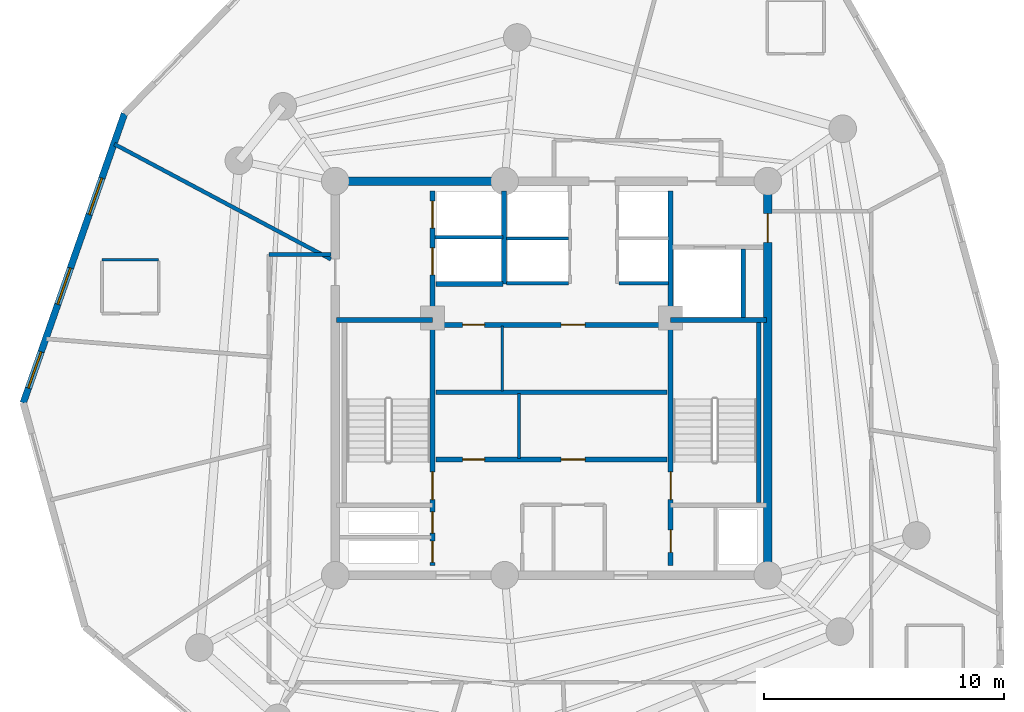
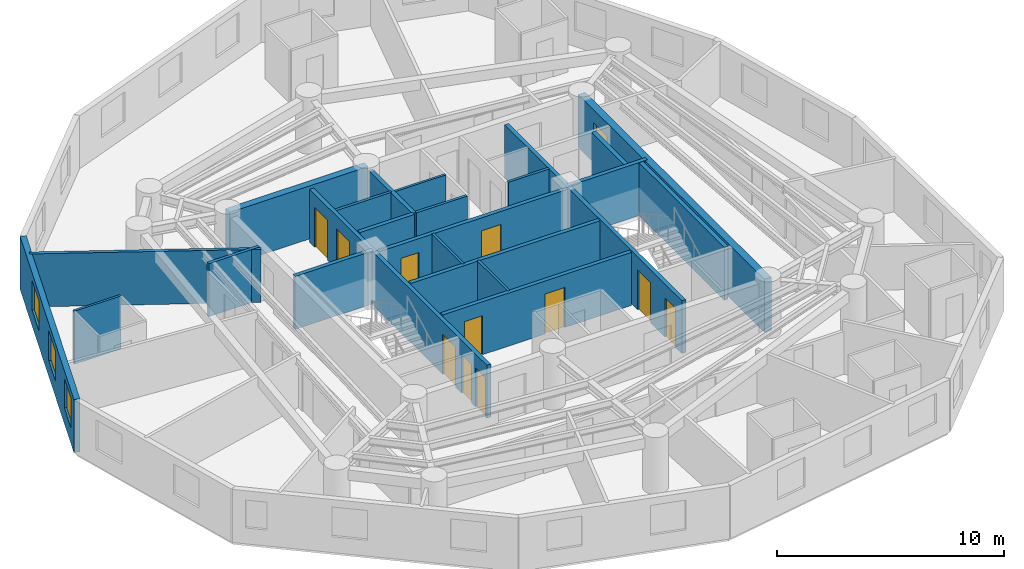
# One storey, part 4 of 7: 23 walls, 12 doors, 3 windows, 15 openings.
"""IFC4 building model written with IfcOpenShell, lengths in metres."""

import ifcopenshell
import ifcopenshell.guid

model = None  # the IFC model being written
_history = None  # IfcOwnerHistory: only IFC2X3 demands one
_inside = {}  # id of a spatial element -> (the spatial element, [elements in it])
_under = {}  # id of a project, library or spatial element -> (it, [spatial elements below it])
_declared = {}  # id of a project -> (the project, [libraries it declares])
_typed = {}  # id of a type object -> (the type object, [elements of that type])
_made_of = {}  # id of a material, layer set ... -> (it, [elements and type objects made of it])


def new_model(schema):
    """Start an empty IFC model of exactly this schema.

    Asked for "IFC4X3", IfcOpenShell would pick the latest addendum, in which some entities
    have other attributes; the version numbers below select the first issue.
    IFC2X3 requires an IfcOwnerHistory on every rooted entity: one is made here for all.
    """
    global model, _history
    if schema == "IFC4X3":
        model = ifcopenshell.file(schema_version=(4, 3, 0, 0))
    else:
        model = ifcopenshell.file(schema=schema)
    _inside.clear()
    _under.clear()
    _declared.clear()
    _typed.clear()
    _made_of.clear()
    _history = None
    if model.schema == "IFC2X3":
        org = make("IfcOrganization", Name="unknown")
        user = make(
            "IfcPersonAndOrganization",
            ThePerson=make("IfcPerson", FamilyName="unknown"),
            TheOrganization=org,
        )
        app = make(
            "IfcApplication",
            ApplicationDeveloper=org,
            Version="unknown",
            ApplicationFullName="unknown",
            ApplicationIdentifier="unknown",
        )
        _history = make(
            "IfcOwnerHistory",
            OwningUser=user,
            OwningApplication=app,
            ChangeAction="ADDED",
            CreationDate=0,
        )
    return model


def make(cls, **values):
    """One entity of the class cls with the attributes given. An attribute that is None is left unset."""
    return model.create_entity(
        cls, **{name: value for name, value in values.items() if value is not None}
    )


def rooted(cls, **values):
    """An entity with a GlobalId (a new one), such as an element, a storey or a relation."""
    return make(cls, GlobalId=ifcopenshell.guid.new(), OwnerHistory=_history, **values)


def si_unit(unit_type, name, prefix=None):
    """IfcSIUnit, for example si_unit("LENGTHUNIT", "METRE", prefix="MILLI")."""
    return make("IfcSIUnit", UnitType=unit_type, Prefix=prefix, Name=name)


def assignment(units):
    """IfcUnitAssignment: the units of a project."""
    return None if units is None else make("IfcUnitAssignment", Units=units)


def point(xyz):
    """IfcCartesianPoint."""
    return None if xyz is None else make("IfcCartesianPoint", Coordinates=xyz)


def direction(xyz):
    """IfcDirection."""
    return None if xyz is None else make("IfcDirection", DirectionRatios=xyz)


def frame(location, z_axis=None, x_axis=None):
    """IfcAxis2Placement3D, a coordinate frame: its origin and axes. An axis left out is left unset."""
    return make(
        "IfcAxis2Placement3D",
        Location=point(location),
        Axis=direction(z_axis),
        RefDirection=direction(x_axis),
    )


def frame_2d(location, x_axis=None):
    """IfcAxis2Placement2D, a coordinate frame in the plane: its origin and x axis."""
    return make(
        "IfcAxis2Placement2D", Location=point(location), RefDirection=direction(x_axis)
    )


def origin():
    """The frame at (0, 0, 0) with its axes left unset."""
    return frame((0.0, 0.0, 0.0))


def origin_with_axes():
    """The frame at (0, 0, 0) with the z axis (0, 0, 1) and the x axis (1, 0, 0) written out."""
    return frame((0.0, 0.0, 0.0), z_axis=(0.0, 0.0, 1.0), x_axis=(1.0, 0.0, 0.0))


def place(relative_to, where):
    """IfcLocalPlacement: puts the frame where relative to a parent placement (None: the world)."""
    return make(
        "IfcLocalPlacement", PlacementRelTo=relative_to, RelativePlacement=where
    )


def context(
    kind, dimensions, precision=None, world=None, true_north=None, identifier=None
):
    """IfcGeometricRepresentationContext, for example the 3D "Model" context."""
    return make(
        "IfcGeometricRepresentationContext",
        ContextIdentifier=identifier,
        ContextType=kind,
        CoordinateSpaceDimension=dimensions,
        Precision=precision,
        WorldCoordinateSystem=world,
        TrueNorth=true_north,
    )


def subcontext(parent, identifier, kind, view, scale=None):
    """IfcGeometricRepresentationSubContext, for example "Body" below "Model"."""
    return make(
        "IfcGeometricRepresentationSubContext",
        ContextIdentifier=identifier,
        ContextType=kind,
        ParentContext=parent,
        TargetScale=scale,
        TargetView=view,
    )


def project(units=None, contexts=None):
    """IfcProject with its units and contexts."""
    return rooted(
        "IfcProject",
        Name="project",
        RepresentationContexts=contexts,
        UnitsInContext=assignment(units),
    )


def spatial(cls, under=None, at=None, **own):
    """A site, building, storey or space (cls), placed at a placement, below another one or the project."""
    s = rooted(cls, ObjectPlacement=at, **own)
    if under is not None:
        _under.setdefault(under.id(), (under, []))[1].append(s)
    return s


def profile(cls, at=None, kind="AREA", **sizes):
    """A parametric profile (cls). Its sizes go by their IFC names, for example OverallWidth=200.0."""
    return make(cls, ProfileType=kind, Position=at, **sizes)


def rectangle(**sizes):
    """IfcRectangleProfileDef."""
    return profile("IfcRectangleProfileDef", **sizes)


def extrude(swept, where, along, depth):
    """IfcExtrudedAreaSolid: the profile swept, set in the frame where, extruded along a direction by depth."""
    return make(
        "IfcExtrudedAreaSolid",
        SweptArea=swept,
        Position=where,
        ExtrudedDirection=direction(along),
        Depth=depth,
    )


def shape(context_of_items, identifier, shape_type, items):
    """IfcShapeRepresentation: the items that make up one representation, for example the "Body"."""
    return make(
        "IfcShapeRepresentation",
        ContextOfItems=context_of_items,
        RepresentationIdentifier=identifier,
        RepresentationType=shape_type,
        Items=items,
    )


def source(mapping_origin, context_of_items, identifier, shape_type, items):
    """IfcRepresentationMap: a shape defined once, which mapped items show again and again."""
    return make(
        "IfcRepresentationMap",
        MappingOrigin=mapping_origin,
        MappedRepresentation=shape(context_of_items, identifier, shape_type, items),
    )


def transform(
    local_origin,
    x_axis=None,
    y_axis=None,
    z_axis=None,
    scale=None,
    scale2=None,
    scale3=None,
    uniform=True,
):
    """IfcCartesianTransformationOperator3D, or its non-uniform kind. x_axis, y_axis, z_axis: its Axis1, 2, 3."""
    if uniform:
        return make(
            "IfcCartesianTransformationOperator3D",
            Axis1=direction(x_axis),
            Axis2=direction(y_axis),
            LocalOrigin=point(local_origin),
            Scale=scale,
            Axis3=direction(z_axis),
        )
    return make(
        "IfcCartesianTransformationOperator3DnonUniform",
        Axis1=direction(x_axis),
        Axis2=direction(y_axis),
        LocalOrigin=point(local_origin),
        Scale=scale,
        Axis3=direction(z_axis),
        Scale2=scale2,
        Scale3=scale3,
    )


def mapped(mapping_source, mapping_target):
    """IfcMappedItem: shows the shape of a source again, moved by a transform."""
    return make(
        "IfcMappedItem", MappingSource=mapping_source, MappingTarget=mapping_target
    )


def material(Name=None, Category=None):
    """IfcMaterial."""
    return make("IfcMaterial", Name=Name, Category=Category)


def layer(
    of_material, thickness, ventilated=None, Name=None, Category=None, Priority=None
):
    """IfcMaterialLayer: one layer of a wall or slab, of a material (None: an air gap)."""
    return make(
        "IfcMaterialLayer",
        Material=of_material,
        LayerThickness=thickness,
        IsVentilated=ventilated,
        Name=Name,
        Category=Category,
        Priority=Priority,
    )


def layer_set(layers, Name=None):
    """IfcMaterialLayerSet."""
    return make("IfcMaterialLayerSet", MaterialLayers=layers, LayerSetName=Name)


def made_of(thing, what):
    """Note that an element or type object is made of a material, layer set ...; save() writes the relation."""
    if what is not None:
        _made_of.setdefault(what.id(), (what, []))[1].append(thing)
    return thing


def type_object(cls, material=None, **own):
    """A type object (cls), such as IfcWallType, which elements share."""
    return made_of(rooted(cls, **own), material)


def element(
    cls,
    number,
    at=None,
    inside=None,
    cuts=None,
    type_object=None,
    material=None,
    context=None,
    identifier="Body",
    shape_type=None,
    held_by="IfcProductDefinitionShape",
    body=None,
    shapes=None,
    **own,
):
    """One element of the class cls, such as IfcWall. Its Tag is "e" and its number.

    at: its placement. inside: the storey or other place that contains it. cuts: it is an
    opening in that element (IfcRelVoidsElement). A single representation is given by context,
    identifier, shape_type and body (its items); several are given by shapes. held_by: the class
    of the entity that holds the representations. save() writes the other relations.
    """
    e = rooted(cls, Tag="e%d" % number, ObjectPlacement=at, **own)
    if body is not None:
        shapes = [shape(context, identifier, shape_type, body)]
    if shapes is not None:
        e.Representation = make(held_by, Representations=shapes)
    if inside is not None:
        _inside.setdefault(inside.id(), (inside, []))[1].append(e)
    if cuts is not None:
        rooted(
            "IfcRelVoidsElement", RelatingBuildingElement=cuts, RelatedOpeningElement=e
        )
    if type_object is not None:
        _typed.setdefault(type_object.id(), (type_object, []))[1].append(e)
    return made_of(e, material)


def fill(opening, filler):
    """IfcRelFillsElement: the door or window that sits in an opening."""
    return rooted(
        "IfcRelFillsElement",
        RelatingOpeningElement=opening,
        RelatedBuildingElement=filler,
    )


def aggregate(whole, parts):
    """IfcRelAggregates: a whole, such as a stair, and the parts it consists of."""
    return rooted("IfcRelAggregates", RelatingObject=whole, RelatedObjects=parts)


def save(model, path):
    """Write the relations noted so far, then the file.

    IfcRelAggregates (storeys below a building ...), IfcRelContainedInSpatialStructure (elements
    in a storey), IfcRelDefinesByType, IfcRelAssociatesMaterial and IfcRelDeclares: one each for
    every whole, place, type object, material and project.
    """
    for whole, parts in _under.values():
        aggregate(whole, parts)
    for where, things in _inside.values():
        rooted(
            "IfcRelContainedInSpatialStructure",
            RelatedElements=things,
            RelatingStructure=where,
        )
    for kind, things in _typed.values():
        rooted("IfcRelDefinesByType", RelatedObjects=things, RelatingType=kind)
    for what, things in _made_of.values():
        rooted("IfcRelAssociatesMaterial", RelatedObjects=things, RelatingMaterial=what)
    for by, libraries in _declared.values():
        rooted("IfcRelDeclares", RelatingContext=by, RelatedDefinitions=libraries)
    model.write(path)


model = new_model("IFC4")

# Units and contexts
model_context = context("Model", 3, precision=1e-05, world=origin(), true_north=direction((0.0, 1.0)))
body_context = subcontext(model_context, "Body", "Model", "MODEL_VIEW")
ifc_project = project(units=[si_unit("LENGTHUNIT", "METRE"), si_unit("AREAUNIT", "SQUARE_METRE"), si_unit("VOLUMEUNIT", "CUBIC_METRE"), si_unit("PLANEANGLEUNIT", "RADIAN"), si_unit("MASSUNIT", "GRAM", prefix="KILO")], contexts=[model_context])

# Site, building, storey
site_placement = place(None, origin())
site = spatial("IfcSite", under=ifc_project, at=site_placement, CompositionType="ELEMENT")
building_placement = place(site_placement, origin())
building = spatial("IfcBuilding", under=site, at=building_placement, Name="Karkom Vertical University and Central Library", CompositionType="ELEMENT")
storey_placement = place(building_placement, frame((0.0, 0.0, 226.050048828125)))
storey = spatial("IfcBuildingStorey", under=building, at=storey_placement, Name="L66", CompositionType="ELEMENT", Elevation=226.050048828125)

# Wall, openings, windows
ifc_material_1 = material(Name="Brick-faced precast concrete C45/55", Category="masonry")
ifc_layer_1 = layer(ifc_material_1, 0.280029296875)
ifc_layer_set_1 = layer_set([ifc_layer_1], Name="Brick-faced precast concrete C45/55")
wall_type_1 = type_object("IfcWallType", Name="ENV-WL-BRK-280", PredefinedType="SOLIDWALL", material=ifc_layer_set_1)
wall_1_placement = place(storey_placement, frame((10.730712890625, 37.5078125, 0.0), z_axis=(0.0, 0.0, 1.0), x_axis=(-0.330347012997, -0.943859550465, 0.0)))
wall_1 = element("IfcWall", 1, at=wall_1_placement, inside=storey, type_object=wall_type_1, Name="Level 66 Brick-Faced Precast Facade Wall 12", PredefinedType="SOLIDWALL", context=body_context, shape_type="SweptSolid", body=[
    extrude(rectangle(XDim=12.75, YDim=0.280029296875, at=frame_2d((6.375, 0.0))), origin(), (0.0, 0.0, 1.0), 2.849853515625),
])
opening_1_placement = place(wall_1_placement, frame((2.843017578125, 0.0, 0.85009765625)))
opening_1 = element("IfcOpeningElement", 2, at=opening_1_placement, cuts=wall_1, Name="Opening WN-10", PredefinedType="OPENING", context=body_context, shape_type="SweptSolid", body=[
    extrude(rectangle(XDim=1.60009765625, YDim=1.60009765625, at=frame_2d((0.800048828125, 0.800048828125))), frame((0.0, 0.14990234375, 0.0), z_axis=(0.0, -1.0, 0.0), x_axis=(1.0, 0.0, 0.0)), (0.0, 0.0, 1.0), 0.300048828125),
])
opening_2_placement = place(wall_1_placement, frame((6.8056640625, 0.0, 0.85009765625)))
opening_2 = element("IfcOpeningElement", 3, at=opening_2_placement, cuts=wall_1, Name="Opening WN-10", PredefinedType="OPENING", context=body_context, shape_type="SweptSolid", body=[
    extrude(rectangle(XDim=1.60009765625, YDim=1.60009765625, at=frame_2d((0.800048828125, 0.800048828125))), frame((0.0, 0.14990234375, 0.0), z_axis=(0.0, -1.0, 0.0), x_axis=(1.0, 0.0, 0.0)), (0.0, 0.0, 1.0), 0.300048828125),
])
opening_3_placement = place(wall_1_placement, frame((10.498291015625, 0.0, 0.85009765625)))
opening_3 = element("IfcOpeningElement", 4, at=opening_3_placement, cuts=wall_1, Name="Opening WN-10", PredefinedType="OPENING", context=body_context, shape_type="SweptSolid", body=[
    extrude(rectangle(XDim=1.60009765625, YDim=1.60009765625, at=frame_2d((0.800048828125, 0.800048828125))), frame((0.0, 0.14990234375, 0.0), z_axis=(0.0, -1.0, 0.0), x_axis=(1.0, 0.0, 0.0)), (0.0, 0.0, 1.0), 0.300048828125),
])
ifc_material_2 = material(Name="Aluminium thermal-break frame with solar-control IGU", Category="aluminium")
window_type = type_object("IfcWindowType", Name="ENV-WIN-WN-10", PartitioningType="SINGLE_PANEL", PredefinedType="WINDOW", material=ifc_material_2)
shared_shape_1 = source(origin_with_axes(), body_context, "Body", "SweptSolid", [
    extrude(rectangle(XDim=1.60009765625, YDim=1.60009765625, at=frame_2d((0.800048828125, 0.800048828125))), frame((0.0, 0.030029296875, 0.0), z_axis=(0.0, -1.0, 0.0), x_axis=(1.0, 0.0, 0.0)), (0.0, 0.0, 1.0), 0.06005859375),
])
window_1_placement = place(opening_1_placement, origin())
window_1 = element("IfcWindow", 5, at=window_1_placement, inside=storey, type_object=window_type, Name="Level 66 Punched Window 12.1", OverallHeight=1.60009765625, OverallWidth=1.60009765625, PartitioningType="SINGLE_PANEL", PredefinedType="WINDOW", context=body_context, shape_type="MappedRepresentation", body=[
    mapped(shared_shape_1, transform((0.0, 0.0, 0.0), scale=1.0)),
])
fill(opening_1, window_1)
window_2_placement = place(opening_2_placement, origin())
window_2 = element("IfcWindow", 6, at=window_2_placement, inside=storey, type_object=window_type, Name="Level 66 Punched Window 12.2", OverallHeight=1.60009765625, OverallWidth=1.60009765625, PartitioningType="SINGLE_PANEL", PredefinedType="WINDOW", context=body_context, shape_type="MappedRepresentation", body=[
    mapped(shared_shape_1, transform((0.0, 0.0, 0.0), scale=1.0)),
])
fill(opening_2, window_2)
window_3_placement = place(opening_3_placement, origin())
window_3 = element("IfcWindow", 7, at=window_3_placement, inside=storey, type_object=window_type, Name="Level 66 Punched Window 12.3", OverallHeight=1.60009765625, OverallWidth=1.60009765625, PartitioningType="SINGLE_PANEL", PredefinedType="WINDOW", context=body_context, shape_type="MappedRepresentation", body=[
    mapped(shared_shape_1, transform((0.0, 0.0, 0.0), scale=1.0)),
])
fill(opening_3, window_3)

# Walls
ifc_material_3 = material(Name="Insulated metal-stud drywall 160mm", Category="gypsum")
ifc_layer_2 = layer(ifc_material_3, 0.159912109375)
ifc_layer_set_2 = layer_set([ifc_layer_2], Name="Insulated metal-stud drywall 160mm")
wall_type_2 = type_object("IfcWallType", Name="INT-WL-COR-160", PredefinedType="PARTITIONING", material=ifc_layer_set_2)
wall_2_placement = place(storey_placement, frame((19.318603515625, 31.44970703125, 0.0), z_axis=(0.0, 0.0, 1.0), x_axis=(-0.882941204616, 0.469483577127, 0.0)))
element("IfcWall", 8, at=wall_2_placement, inside=storey, type_object=wall_type_2, Name="Level 66 Interior Partition Wall L66-PW-014", PredefinedType="PARTITIONING", context=body_context, shape_type="SweptSolid", body=[
    extrude(rectangle(XDim=10.201171875, YDim=0.159912109375, at=frame_2d((5.1005859375, 0.0))), origin(), (0.0, 0.0, 1.0), 2.849853515625),
])
wall_3_placement = place(storey_placement, frame((16.75, 31.64990234375, 0.0), z_axis=(0.0, 0.0, 1.0), x_axis=(1.0, 0.0, 0.0)))
element("IfcWall", 9, at=wall_3_placement, inside=storey, type_object=wall_type_2, Name="Level 66 Interior Partition Wall L66-CORW-CW-003", PredefinedType="PARTITIONING", context=body_context, shape_type="SweptSolid", body=[
    extrude(rectangle(XDim=2.568115234375, YDim=0.159912109375, at=frame_2d((1.2841796875, 0.0))), origin(), (0.0, 0.0, 1.0), 2.849853515625),
])
ifc_material_4 = material(Name="Moisture-resistant drywall 120mm", Category="gypsum")
ifc_layer_3 = layer(ifc_material_4, 0.1201171875)
ifc_layer_set_3 = layer_set([ifc_layer_3], Name="Moisture-resistant drywall 120mm")
wall_type_3 = type_object("IfcWallType", Name="INT-WL-INT-120", PredefinedType="PARTITIONING", material=ifc_layer_set_3)
wall_4_placement = place(storey_placement, frame((27.14990234375, 23.169921875, 0.0), z_axis=(0.0, 0.0, 1.0), x_axis=(0.0, 1.0, 0.0)))
element("IfcWall", 10, at=wall_4_placement, inside=storey, type_object=wall_type_3, Name="Level 66 Interior Partition Wall L66-CW-B1-K2", PredefinedType="PARTITIONING", context=body_context, shape_type="SweptSolid", body=[
    extrude(rectangle(XDim=2.7001953125, YDim=0.1201171875, at=frame_2d((1.35009765625, 0.0))), origin(), (0.0, 0.0, 1.0), 2.849853515625),
])
wall_5_placement = place(storey_placement, frame((26.449951171875, 25.969970703125, 0.0), z_axis=(0.0, 0.0, 1.0), x_axis=(0.0, 1.0, 0.0)))
element("IfcWall", 11, at=wall_5_placement, inside=storey, type_object=wall_type_3, Name="Level 66 Interior Partition Wall L66-CW-B2-K2", PredefinedType="PARTITIONING", context=body_context, shape_type="SweptSolid", body=[
    extrude(rectangle(XDim=2.699951171875, YDim=0.1201171875, at=frame_2d((1.35009765625, 0.0))), origin(), (0.0, 0.0, 1.0), 2.849853515625),
])
ifc_layer_4 = layer(ifc_material_4, 0.1201171875)
ifc_layer_set_4 = layer_set([ifc_layer_4], Name="Moisture-resistant drywall 120mm")
wall_type_4 = type_object("IfcWallType", Name="INT-WL-INT-120F", PredefinedType="PARTITIONING", material=ifc_layer_set_4)
wall_6_placement = place(storey_placement, frame((12.155029296875, 31.428955078125, 0.0), z_axis=(0.0, 0.0, 1.0), x_axis=(-1.0, 0.0, 0.0)))
element("IfcWall", 12, at=wall_6_placement, inside=storey, type_object=wall_type_4, Name="Level 66 Interior Partition Wall L66-ENS-52-N", PredefinedType="PARTITIONING", context=body_context, shape_type="SweptSolid", body=[
    extrude(rectangle(XDim=2.360107421875, YDim=0.1201171875, at=frame_2d((1.18017578125, 0.0))), origin(), (0.0, 0.0, 1.0), 2.849853515625),
])
ifc_layer_5 = layer(ifc_material_4, 0.1201171875)
ifc_layer_set_5 = layer_set([ifc_layer_5], Name="Moisture-resistant drywall 120mm")
wall_type_5 = type_object("IfcWallType", Name="INT-WL-INT-120H", PredefinedType="PARTITIONING", material=ifc_layer_set_5)
wall_7_placement = place(storey_placement, frame((26.6201171875, 32.320068359375, 0.0), z_axis=(0.0, 0.0, 1.0), x_axis=(1.0, 0.0, 0.0)))
element("IfcWall", 13, at=wall_7_placement, inside=storey, type_object=wall_type_5, Name="Level 66 Interior Partition Wall L66-CW-PH-MW", PredefinedType="PARTITIONING", context=body_context, shape_type="SweptSolid", body=[
    extrude(rectangle(XDim=2.579833984375, YDim=0.1201171875, at=frame_2d((1.2900390625, 0.0))), origin(), (0.0, 0.0, 1.0), 2.849853515625),
])
ifc_material_5 = material(Name="Metal-stud gypsum partition 140mm", Category="gypsum")
ifc_layer_6 = layer(ifc_material_5, 0.139892578125)
ifc_layer_set_6 = layer_set([ifc_layer_6], Name="Metal-stud gypsum partition 140mm")
wall_type_6 = type_object("IfcWallType", Name="INT-WL-SUB-140H", PredefinedType="PARTITIONING", material=ifc_layer_set_6)
wall_8_placement = place(storey_placement, frame((26.6201171875, 30.449951171875, 0.0), z_axis=(0.0, 0.0, 1.0), x_axis=(1.0, 0.0, 0.0)))
element("IfcWall", 14, at=wall_8_placement, inside=storey, type_object=wall_type_6, Name="Level 66 Interior Partition Wall L66-CW-PH-S1", PredefinedType="PARTITIONING", context=body_context, shape_type="SweptSolid", body=[
    extrude(rectangle(XDim=2.579833984375, YDim=0.139892578125, at=frame_2d((1.2900390625, 0.0))), origin(), (0.0, 0.0, 1.0), 2.849853515625),
])
wall_9_placement = place(storey_placement, frame((31.300048828125, 30.449951171875, 0.0), z_axis=(0.0, 0.0, 1.0), x_axis=(1.0, 0.0, 0.0)))
element("IfcWall", 15, at=wall_9_placement, inside=storey, type_object=wall_type_6, Name="Level 66 Interior Partition Wall L66-CW-PH-S2", PredefinedType="PARTITIONING", context=body_context, shape_type="SweptSolid", body=[
    extrude(rectangle(XDim=2.074951171875, YDim=0.139892578125, at=frame_2d((1.03759765625, 0.0))), origin(), (0.0, 0.0, 1.0), 2.849853515625),
])
ifc_layer_7 = layer(ifc_material_5, 0.139892578125)
ifc_layer_set_7 = layer_set([ifc_layer_7], Name="Metal-stud gypsum partition 140mm")
wall_type_7 = type_object("IfcWallType", Name="INT-WL-SUB-140X", PredefinedType="PARTITIONING", material=ifc_layer_set_7)
wall_10_placement = place(storey_placement, frame((23.652099609375, 32.3701171875, 0.0), z_axis=(0.0, 0.0, 1.0), x_axis=(1.0, 0.0, 0.0)))
element("IfcWall", 16, at=wall_10_placement, inside=storey, type_object=wall_type_7, Name="Level 66 Interior Partition Wall L66-CW-FFL-M", PredefinedType="PARTITIONING", context=body_context, shape_type="SweptSolid", body=[
    extrude(rectangle(XDim=2.827880859375, YDim=0.139892578125, at=frame_2d((1.4140625, 0.0))), origin(), (0.0, 0.0, 1.0), 2.849853515625),
])

# Wall, opening, door
ifc_material_6 = material(Name="Concrete C45/55", Category="concrete")
ifc_layer_8 = layer(ifc_material_6, 0.35009765625)
ifc_layer_set_8 = layer_set([ifc_layer_8], Name="Concrete C45/55")
wall_type_8 = type_object("IfcWallType", Name="STR-WL-CW-350", PredefinedType="SHEAR", material=ifc_layer_set_8)
wall_11_placement = place(storey_placement, frame((37.5, 18.300048828125, 0.0), z_axis=(0.0, 0.0, 1.0), x_axis=(0.0, 1.0, 0.0)))
wall_11 = element("IfcWall", 17, at=wall_11_placement, inside=storey, type_object=wall_type_8, Name="Level 66 Central Core Shear Wall EW", PredefinedType="SHEAR", context=body_context, shape_type="SweptSolid", body=[
    extrude(rectangle(XDim=16.39990234375, YDim=0.35009765625, at=frame_2d((8.199951171875, 0.0))), origin(), (0.0, 0.0, 1.0), 2.849853515625),
])
opening_4_placement = place(wall_11_placement, frame((13.85009765625, 0.0, 0.0)))
opening_4 = element("IfcOpeningElement", 18, at=opening_4_placement, cuts=wall_11, Name="Opening FD-SUB1", PredefinedType="OPENING", context=body_context, shape_type="SweptSolid", body=[
    extrude(rectangle(XDim=1.199951171875, YDim=2.14990234375, at=frame_2d((0.60009765625, 1.074951171875))), frame((0.0, 0.18505859375, 0.0), z_axis=(0.0, -1.0, 0.0), x_axis=(1.0, 0.0, 0.0)), (0.0, 0.0, 1.0), 0.3701171875),
])
ifc_material_7 = material(Name="Painted steel fire door", Category="steel")
door_type_1 = type_object("IfcDoorType", Name="INT-DR-SUB1", OperationType="NOTDEFINED", PredefinedType="DOOR", material=ifc_material_7)
shared_shape_2 = source(origin_with_axes(), body_context, "Body", "SweptSolid", [
    extrude(rectangle(XDim=1.199951171875, YDim=2.14990234375, at=frame_2d((0.60009765625, 1.074951171875))), frame((0.0, 0.02490234375, 0.0), z_axis=(0.0, -1.0, 0.0), x_axis=(1.0, 0.0, 0.0)), (0.0, 0.0, 1.0), 0.050048828125),
])
door_1_placement = place(opening_4_placement, origin())
door_1 = element("IfcDoor", 19, at=door_1_placement, inside=storey, type_object=door_type_1, Name="Level 66 East Corridor Service Lobby Door", OperationType="SINGLE_SWING_LEFT", OverallHeight=2.14990234375, OverallWidth=1.199951171875, PredefinedType="DOOR", context=body_context, shape_type="MappedRepresentation", body=[
    mapped(shared_shape_2, transform((0.0, 0.0, 0.0), scale=1.0)),
])
fill(opening_4, door_1)

# Wall
wall_12_placement = place(storey_placement, frame((26.550048828125, 34.699951171875, 0.0), z_axis=(0.0, 0.0, 1.0), x_axis=(-1.0, 0.0, 0.0)))
element("IfcWall", 20, at=wall_12_placement, inside=storey, type_object=wall_type_8, Name="Level 66 Central Core Shear Wall NW2", PredefinedType="SHEAR", context=body_context, shape_type="SweptSolid", body=[
    extrude(rectangle(XDim=7.050048828125, YDim=0.35009765625, at=frame_2d((3.52490234375, 0.0))), origin(), (0.0, 0.0, 1.0), 2.849853515625),
])

# Wall, openings, doors
ifc_layer_9 = layer(ifc_material_6, 0.199951171875)
ifc_layer_set_9 = layer_set([ifc_layer_9], Name="Concrete C45/55")
wall_type_9 = type_object("IfcWallType", Name="STR-WL-ST-200", PredefinedType="SHEAR", material=ifc_layer_set_9)
wall_13_placement = place(storey_placement, frame((23.544921875, 18.699951171875, 0.0), z_axis=(0.0, 0.0, 1.0), x_axis=(0.0, 1.0, 0.0)))
wall_13 = element("IfcWall", 21, at=wall_13_placement, inside=storey, type_object=wall_type_9, Name="Level 66 Core Shaft Wall L66-CW-ST1-E", PredefinedType="SHEAR", context=body_context, shape_type="SweptSolid", body=[
    extrude(rectangle(XDim=15.60009765625, YDim=0.199951171875, at=frame_2d((7.800048828125, 0.0))), origin(), (0.0, 0.0, 1.0), 2.849853515625),
])
opening_5_placement = place(wall_13_placement, frame((2.75, 0.0, 0.0)))
opening_5 = element("IfcOpeningElement", 22, at=opening_5_placement, cuts=wall_13, Name="Opening FD-ST1", PredefinedType="OPENING", context=body_context, shape_type="SweptSolid", body=[
    extrude(rectangle(XDim=1.14990234375, YDim=2.14990234375, at=frame_2d((0.574951171875, 1.074951171875))), frame((0.0, 0.10986328125, 0.0), z_axis=(0.0, -1.0, 0.0), x_axis=(1.0, 0.0, 0.0)), (0.0, 0.0, 1.0), 0.219970703125),
])
opening_6_placement = place(wall_13_placement, frame((0.139892578125, 0.0, 0.0)))
opening_6 = element("IfcOpeningElement", 23, at=opening_6_placement, cuts=wall_13, Name="Opening FD-RIS", PredefinedType="OPENING", context=body_context, shape_type="SweptSolid", body=[
    extrude(rectangle(XDim=0.8798828125, YDim=2.10009765625, at=frame_2d((0.43994140625, 1.050048828125))), frame((0.0, 0.10986328125, 0.0), z_axis=(0.0, -1.0, 0.0), x_axis=(1.0, 0.0, 0.0)), (0.0, 0.0, 1.0), 0.219970703125),
])
opening_7_placement = place(wall_13_placement, frame((1.360107421875, 0.0, 0.0)))
opening_7 = element("IfcOpeningElement", 24, at=opening_7_placement, cuts=wall_13, Name="Opening FD-RIS", PredefinedType="OPENING", context=body_context, shape_type="SweptSolid", body=[
    extrude(rectangle(XDim=0.8798828125, YDim=2.10009765625, at=frame_2d((0.43994140625, 1.050048828125))), frame((0.0, 0.10986328125, 0.0), z_axis=(0.0, -1.0, 0.0), x_axis=(1.0, 0.0, 0.0)), (0.0, 0.0, 1.0), 0.219970703125),
])
opening_8_placement = place(wall_13_placement, frame((12.10009765625, 0.0, 0.0)))
opening_8 = element("IfcOpeningElement", 25, at=opening_8_placement, cuts=wall_13, Name="Opening LD-FFL", PredefinedType="OPENING", context=body_context, shape_type="SweptSolid", body=[
    extrude(rectangle(XDim=1.1201171875, YDim=2.14990234375, at=frame_2d((0.56005859375, 1.074951171875))), frame((0.0, 0.10986328125, 0.0), z_axis=(0.0, -1.0, 0.0), x_axis=(1.0, 0.0, 0.0)), (0.0, 0.0, 1.0), 0.219970703125),
])
opening_9_placement = place(wall_13_placement, frame((14.050048828125, 0.0, 0.0)))
opening_9 = element("IfcOpeningElement", 26, at=opening_9_placement, cuts=wall_13, Name="Opening LD-FFL", PredefinedType="OPENING", context=body_context, shape_type="SweptSolid", body=[
    extrude(rectangle(XDim=1.1201171875, YDim=2.14990234375, at=frame_2d((0.56005859375, 1.074951171875))), frame((0.0, 0.10986328125, 0.0), z_axis=(0.0, -1.0, 0.0), x_axis=(1.0, 0.0, 0.0)), (0.0, 0.0, 1.0), 0.219970703125),
])
ifc_material_8 = material(Name="Painted steel acoustic fire door", Category="steel")
door_type_2 = type_object("IfcDoorType", Name="INT-DR-ST1", OperationType="NOTDEFINED", PredefinedType="DOOR", material=ifc_material_8)
shared_shape_3 = source(origin_with_axes(), body_context, "Body", "SweptSolid", [
    extrude(rectangle(XDim=1.14990234375, YDim=2.14990234375, at=frame_2d((0.574951171875, 1.074951171875))), frame((0.0, 0.02490234375, 0.0), z_axis=(0.0, -1.0, 0.0), x_axis=(1.0, 0.0, 0.0)), (0.0, 0.0, 1.0), 0.050048828125),
])
door_2_placement = place(opening_5_placement, origin())
door_2 = element("IfcDoor", 27, at=door_2_placement, inside=storey, type_object=door_type_2, Name="Level 66 Stair ST-1 Fire Door", OperationType="SINGLE_SWING_RIGHT", OverallHeight=2.14990234375, OverallWidth=1.14990234375, PredefinedType="DOOR", context=body_context, shape_type="MappedRepresentation", body=[
    mapped(shared_shape_3, transform((0.0, 0.0, 0.0), scale=1.0)),
])
fill(opening_5, door_2)
ifc_material_9 = material(Name="Painted steel riser access door", Category="steel")
door_type_3 = type_object("IfcDoorType", Name="INT-DR-RIS", OperationType="NOTDEFINED", PredefinedType="DOOR", material=ifc_material_9)
shared_shape_4 = source(origin_with_axes(), body_context, "Body", "SweptSolid", [
    extrude(rectangle(XDim=0.8798828125, YDim=2.10009765625, at=frame_2d((0.43994140625, 1.050048828125))), frame((0.0, 0.02490234375, 0.0), z_axis=(0.0, -1.0, 0.0), x_axis=(1.0, 0.0, 0.0)), (0.0, 0.0, 1.0), 0.050048828125),
])
door_3_placement = place(opening_6_placement, origin())
door_3 = element("IfcDoor", 28, at=door_3_placement, inside=storey, type_object=door_type_3, Name="Level 66 Electrical Riser Access Door", OperationType="SINGLE_SWING_LEFT", OverallHeight=2.10009765625, OverallWidth=0.8798828125, PredefinedType="DOOR", context=body_context, shape_type="MappedRepresentation", body=[
    mapped(shared_shape_4, transform((0.0, 0.0, 0.0), scale=1.0)),
])
fill(opening_6, door_3)
door_4_placement = place(opening_7_placement, origin())
door_4 = element("IfcDoor", 29, at=door_4_placement, inside=storey, type_object=door_type_3, Name="Level 66 Telecom Riser Access Door", OperationType="SINGLE_SWING_RIGHT", OverallHeight=2.10009765625, OverallWidth=0.8798828125, PredefinedType="DOOR", context=body_context, shape_type="MappedRepresentation", body=[
    mapped(shared_shape_4, transform((0.0, 0.0, 0.0), scale=1.0)),
])
fill(opening_7, door_4)
ifc_material_10 = material(Name="Fire-rated stainless-steel landing door", Category="steel")
door_type_4 = type_object("IfcDoorType", Name="INT-DR-LD-FFL", OperationType="SLIDING_TO_LEFT", PredefinedType="DOOR", material=ifc_material_10)
shared_shape_5 = source(origin_with_axes(), body_context, "Body", "SweptSolid", [
    extrude(rectangle(XDim=1.1201171875, YDim=2.14990234375, at=frame_2d((0.56005859375, 1.074951171875))), frame((0.0, 0.02490234375, 0.0), z_axis=(0.0, -1.0, 0.0), x_axis=(1.0, 0.0, 0.0)), (0.0, 0.0, 1.0), 0.050048828125),
])
door_5_placement = place(opening_8_placement, origin())
door_5 = element("IfcDoor", 30, at=door_5_placement, inside=storey, type_object=door_type_4, Name="Level 66 Firefighting Lift FFL-1 Landing Door", OperationType="SLIDING_TO_LEFT", OverallHeight=2.14990234375, OverallWidth=1.1201171875, PredefinedType="DOOR", context=body_context, shape_type="MappedRepresentation", body=[
    mapped(shared_shape_5, transform((0.0, 0.0, 0.0), scale=1.0)),
])
fill(opening_8, door_5)
door_6_placement = place(opening_9_placement, origin())
door_6 = element("IfcDoor", 31, at=door_6_placement, inside=storey, type_object=door_type_4, Name="Level 66 Firefighting Lift FFL-2 Landing Door", OperationType="SLIDING_TO_RIGHT", OverallHeight=2.14990234375, OverallWidth=1.1201171875, PredefinedType="DOOR", context=body_context, shape_type="MappedRepresentation", body=[
    mapped(shared_shape_5, transform((0.0, 0.0, 0.0), scale=1.0)),
])
fill(opening_9, door_6)

wall_14_placement = place(storey_placement, frame((33.455078125, 18.699951171875, 0.0), z_axis=(0.0, 0.0, 1.0), x_axis=(0.0, 1.0, 0.0)))
wall_14 = element("IfcWall", 32, at=wall_14_placement, inside=storey, type_object=wall_type_9, Name="Level 66 Core Shaft Wall L66-CW-ST2-W", PredefinedType="SHEAR", context=body_context, shape_type="SweptSolid", body=[
    extrude(rectangle(XDim=15.60009765625, YDim=0.199951171875, at=frame_2d((7.800048828125, 0.0))), origin(), (0.0, 0.0, 1.0), 2.849853515625),
])
opening_10_placement = place(wall_14_placement, frame((2.75, 0.0, 0.0)))
opening_10 = element("IfcOpeningElement", 33, at=opening_10_placement, cuts=wall_14, Name="Opening FD-ST1", PredefinedType="OPENING", context=body_context, shape_type="SweptSolid", body=[
    extrude(rectangle(XDim=1.14990234375, YDim=2.14990234375, at=frame_2d((0.574951171875, 1.074951171875))), frame((0.0, 0.10986328125, 0.0), z_axis=(0.0, -1.0, 0.0), x_axis=(1.0, 0.0, 0.0)), (0.0, 0.0, 1.0), 0.219970703125),
])
opening_11_placement = place(wall_14_placement, frame((0.550048828125, 0.0, 0.0)))
opening_11 = element("IfcOpeningElement", 34, at=opening_11_placement, cuts=wall_14, Name="Opening D-WC1", PredefinedType="OPENING", context=body_context, shape_type="SweptSolid", body=[
    extrude(rectangle(XDim=0.93994140625, YDim=2.10009765625, at=frame_2d((0.469970703125, 1.050048828125))), frame((0.0, 0.10986328125, 0.0), z_axis=(0.0, -1.0, 0.0), x_axis=(1.0, 0.0, 0.0)), (0.0, 0.0, 1.0), 0.219970703125),
])
door_7_placement = place(opening_10_placement, origin())
door_7 = element("IfcDoor", 35, at=door_7_placement, inside=storey, type_object=door_type_2, Name="Level 66 Stair ST-2 Fire Door", OperationType="SINGLE_SWING_LEFT", OverallHeight=2.14990234375, OverallWidth=1.14990234375, PredefinedType="DOOR", context=body_context, shape_type="MappedRepresentation", body=[
    mapped(shared_shape_3, transform((0.0, 0.0, 0.0), scale=1.0)),
])
fill(opening_10, door_7)
ifc_material_11 = material(Name="Fire-rated laminate moisture-resistant door", Category="wood")
door_type_5 = type_object("IfcDoorType", Name="INT-DR-WC1", OperationType="NOTDEFINED", PredefinedType="DOOR", material=ifc_material_11)
shared_shape_6 = source(origin_with_axes(), body_context, "Body", "SweptSolid", [
    extrude(rectangle(XDim=0.93994140625, YDim=2.10009765625, at=frame_2d((0.469970703125, 1.050048828125))), frame((0.0, 0.02490234375, 0.0), z_axis=(0.0, -1.0, 0.0), x_axis=(1.0, 0.0, 0.0)), (0.0, 0.0, 1.0), 0.050048828125),
])
door_8_placement = place(opening_11_placement, origin())
door_8 = element("IfcDoor", 36, at=door_8_placement, inside=storey, type_object=door_type_5, Name="Level 66 Accessible WC Door", OperationType="SINGLE_SWING_LEFT", OverallHeight=2.10009765625, OverallWidth=0.93994140625, PredefinedType="DOOR", context=body_context, shape_type="MappedRepresentation", body=[
    mapped(shared_shape_6, transform((0.0, 0.0, 0.0), scale=1.0)),
])
fill(opening_11, door_8)

wall_15_placement = place(storey_placement, frame((23.699951171875, 23.1201171875, 0.0), z_axis=(0.0, 0.0, 1.0), x_axis=(1.0, 0.0, 0.0)))
wall_15 = element("IfcWall", 37, at=wall_15_placement, inside=storey, type_object=wall_type_9, Name="Level 66 Core Shaft Wall L66-CW-B1-S", PredefinedType="SHEAR", context=body_context, shape_type="SweptSolid", body=[
    extrude(rectangle(XDim=9.60009765625, YDim=0.199951171875, at=frame_2d((4.800048828125, 0.0))), origin(), (0.0, 0.0, 1.0), 2.849853515625),
])
opening_12_placement = place(wall_15_placement, frame((1.10009765625, 0.0, 0.0)))
opening_12 = element("IfcOpeningElement", 38, at=opening_12_placement, cuts=wall_15, Name="Opening D-SVC1", PredefinedType="OPENING", context=body_context, shape_type="SweptSolid", body=[
    extrude(rectangle(XDim=0.919921875, YDim=2.10009765625, at=frame_2d((0.4599609375, 1.050048828125))), frame((0.0, 0.10986328125, 0.0), z_axis=(0.0, -1.0, 0.0), x_axis=(1.0, 0.0, 0.0)), (0.0, 0.0, 1.0), 0.219970703125),
])
opening_13_placement = place(wall_15_placement, frame((5.199951171875, 0.0, 0.0)))
opening_13 = element("IfcOpeningElement", 39, at=opening_13_placement, cuts=wall_15, Name="Opening D-STR1", PredefinedType="OPENING", context=body_context, shape_type="SweptSolid", body=[
    extrude(rectangle(XDim=1.0, YDim=2.14990234375, at=frame_2d((0.5, 1.074951171875))), frame((0.0, 0.10986328125, 0.0), z_axis=(0.0, -1.0, 0.0), x_axis=(1.0, 0.0, 0.0)), (0.0, 0.0, 1.0), 0.219970703125),
])
ifc_material_12 = material(Name="Painted timber service door", Category="wood")
door_type_6 = type_object("IfcDoorType", Name="INT-DR-SVC1", OperationType="NOTDEFINED", PredefinedType="DOOR", material=ifc_material_12)
shared_shape_7 = source(origin_with_axes(), body_context, "Body", "SweptSolid", [
    extrude(rectangle(XDim=0.919921875, YDim=2.10009765625, at=frame_2d((0.4599609375, 1.050048828125))), frame((0.0, 0.02490234375, 0.0), z_axis=(0.0, -1.0, 0.0), x_axis=(1.0, 0.0, 0.0)), (0.0, 0.0, 1.0), 0.050048828125),
])
door_9_placement = place(opening_12_placement, origin())
door_9 = element("IfcDoor", 40, at=door_9_placement, inside=storey, type_object=door_type_6, Name="Level 66 B1 West Store Door", OperationType="SINGLE_SWING_RIGHT", OverallHeight=2.10009765625, OverallWidth=0.919921875, PredefinedType="DOOR", context=body_context, shape_type="MappedRepresentation", body=[
    mapped(shared_shape_7, transform((0.0, 0.0, 0.0), scale=1.0)),
])
fill(opening_12, door_9)
ifc_material_13 = material(Name="Solid-core hardwood fire door", Category="wood")
door_type_7 = type_object("IfcDoorType", Name="INT-DR-STR1", OperationType="NOTDEFINED", PredefinedType="DOOR", material=ifc_material_13)
shared_shape_8 = source(origin_with_axes(), body_context, "Body", "SweptSolid", [
    extrude(rectangle(XDim=1.0, YDim=2.14990234375, at=frame_2d((0.5, 1.074951171875))), frame((0.0, 0.02490234375, 0.0), z_axis=(0.0, -1.0, 0.0), x_axis=(1.0, 0.0, 0.0)), (0.0, 0.0, 1.0), 0.050048828125),
])
door_10_placement = place(opening_13_placement, origin())
door_10 = element("IfcDoor", 41, at=door_10_placement, inside=storey, type_object=door_type_7, Name="Level 66 B1 East Plant Door", OperationType="SINGLE_SWING_LEFT", OverallHeight=2.14990234375, OverallWidth=1.0, PredefinedType="DOOR", context=body_context, shape_type="MappedRepresentation", body=[
    mapped(shared_shape_8, transform((0.0, 0.0, 0.0), scale=1.0)),
])
fill(opening_13, door_10)

# Wall
wall_16_placement = place(storey_placement, frame((23.699951171875, 25.919921875, 0.0), z_axis=(0.0, 0.0, 1.0), x_axis=(1.0, 0.0, 0.0)))
element("IfcWall", 42, at=wall_16_placement, inside=storey, type_object=wall_type_9, Name="Level 66 Core Shaft Wall L66-CW-B1-N", PredefinedType="SHEAR", context=body_context, shape_type="SweptSolid", body=[
    extrude(rectangle(XDim=9.60009765625, YDim=0.199951171875, at=frame_2d((4.800048828125, 0.0))), origin(), (0.0, 0.0, 1.0), 2.849853515625),
])

# Wall, openings, doors
wall_17_placement = place(storey_placement, frame((23.699951171875, 28.719970703125, 0.0), z_axis=(0.0, 0.0, 1.0), x_axis=(1.0, 0.0, 0.0)))
wall_17 = element("IfcWall", 43, at=wall_17_placement, inside=storey, type_object=wall_type_9, Name="Level 66 Core Shaft Wall L66-CW-B2-N", PredefinedType="SHEAR", context=body_context, shape_type="SweptSolid", body=[
    extrude(rectangle(XDim=9.60009765625, YDim=0.199951171875, at=frame_2d((4.800048828125, 0.0))), origin(), (0.0, 0.0, 1.0), 2.849853515625),
])
opening_14_placement = place(wall_17_placement, frame((1.10009765625, 0.0, 0.0)))
opening_14 = element("IfcOpeningElement", 44, at=opening_14_placement, cuts=wall_17, Name="Opening D-SVC1", PredefinedType="OPENING", context=body_context, shape_type="SweptSolid", body=[
    extrude(rectangle(XDim=0.919921875, YDim=2.10009765625, at=frame_2d((0.4599609375, 1.050048828125))), frame((0.0, 0.10986328125, 0.0), z_axis=(0.0, -1.0, 0.0), x_axis=(1.0, 0.0, 0.0)), (0.0, 0.0, 1.0), 0.219970703125),
])
opening_15_placement = place(wall_17_placement, frame((5.199951171875, 0.0, 0.0)))
opening_15 = element("IfcOpeningElement", 45, at=opening_15_placement, cuts=wall_17, Name="Opening D-STR1", PredefinedType="OPENING", context=body_context, shape_type="SweptSolid", body=[
    extrude(rectangle(XDim=1.0, YDim=2.14990234375, at=frame_2d((0.5, 1.074951171875))), frame((0.0, 0.10986328125, 0.0), z_axis=(0.0, -1.0, 0.0), x_axis=(1.0, 0.0, 0.0)), (0.0, 0.0, 1.0), 0.219970703125),
])
door_11_placement = place(opening_14_placement, origin())
door_11 = element("IfcDoor", 46, at=door_11_placement, inside=storey, type_object=door_type_6, Name="Level 66 B2 West Store Door", OperationType="SINGLE_SWING_RIGHT", OverallHeight=2.10009765625, OverallWidth=0.919921875, PredefinedType="DOOR", context=body_context, shape_type="MappedRepresentation", body=[
    mapped(shared_shape_7, transform((0.0, 0.0, 0.0), scale=1.0)),
])
fill(opening_14, door_11)
door_12_placement = place(opening_15_placement, origin())
door_12 = element("IfcDoor", 47, at=door_12_placement, inside=storey, type_object=door_type_7, Name="Level 66 B2 East Plant Door", OperationType="SINGLE_SWING_LEFT", OverallHeight=2.14990234375, OverallWidth=1.0, PredefinedType="DOOR", context=body_context, shape_type="MappedRepresentation", body=[
    mapped(shared_shape_8, transform((0.0, 0.0, 0.0), scale=1.0)),
])
fill(opening_15, door_12)

# Walls
wall_18_placement = place(storey_placement, frame((37.125, 21.320068359375, 0.0), z_axis=(0.0, 0.0, 1.0), x_axis=(0.0, 1.0, 0.0)))
element("IfcWall", 48, at=wall_18_placement, inside=storey, type_object=wall_type_9, Name="Level 66 Core Shaft Wall L66-CW-ST2-E", PredefinedType="SHEAR", context=body_context, shape_type="SweptSolid", body=[
    extrude(rectangle(XDim=7.5, YDim=0.199951171875, at=frame_2d((3.75, 0.0))), origin(), (0.0, 0.0, 1.0), 2.849853515625),
])
for number, where, z_axis, x_axis, name in (
    (49, (33.455078125, 28.925048828125, 0.0), (0.0, 0.0, 1.0), (1.0, 0.0, 0.0), "Level 66 Core Shaft Wall L66-CW-ST2-N"),
    (50, (19.550048828125, 28.925048828125, 0.0), (0.0, 0.0, 1.0), (1.0, 0.0, 0.0), "Level 66 Core Shaft Wall L66-CW-ST1-N"),
):
    element("IfcWall", number, at=place(storey_placement, frame(where, z_axis=z_axis, x_axis=x_axis)), inside=storey, type_object=wall_type_9, Name=name, PredefinedType="SHEAR", context=body_context, shape_type="SweptSolid", body=[
        extrude(rectangle(XDim=3.994873046875, YDim=0.199951171875, at=frame_2d((1.99755859375, 0.0))), origin(), (0.0, 0.0, 1.0), 2.849853515625),
    ])
wall_19_placement = place(storey_placement, frame((26.52001953125, 30.419921875, 0.0), z_axis=(0.0, 0.0, 1.0), x_axis=(0.0, 1.0, 0.0)))
element("IfcWall", 51, at=wall_19_placement, inside=storey, type_object=wall_type_9, Name="Level 66 Core Shaft Wall L66-CW-FFL-E", PredefinedType="SHEAR", context=body_context, shape_type="SweptSolid", body=[
    extrude(rectangle(XDim=3.860107421875, YDim=0.199951171875, at=frame_2d((1.93017578125, 0.0))), origin(), (0.0, 0.0, 1.0), 2.849853515625),
])
wall_20_placement = place(storey_placement, frame((36.47998046875, 29.02001953125, 0.0), z_axis=(0.0, 0.0, 1.0), x_axis=(0.0, 1.0, 0.0)))
element("IfcWall", 52, at=wall_20_placement, inside=storey, type_object=wall_type_9, Name="Level 66 Core Shaft Wall L66-CW-SVL-E", PredefinedType="SHEAR", context=body_context, shape_type="SweptSolid", body=[
    extrude(rectangle(XDim=2.85986328125, YDim=0.199951171875, at=frame_2d((1.429931640625, 0.0))), origin(), (0.0, 0.0, 1.0), 2.849853515625),
])
wall_21_placement = place(storey_placement, frame((23.699951171875, 30.419921875, 0.0), z_axis=(0.0, 0.0, 1.0), x_axis=(1.0, 0.0, 0.0)))
element("IfcWall", 53, at=wall_21_placement, inside=storey, type_object=wall_type_9, Name="Level 66 Core Shaft Wall L66-CW-FFL-S", PredefinedType="SHEAR", context=body_context, shape_type="SweptSolid", body=[
    extrude(rectangle(XDim=2.780029296875, YDim=0.199951171875, at=frame_2d((1.39013671875, 0.0))), origin(), (0.0, 0.0, 1.0), 2.849853515625),
])

save(model, "model.ifc")
